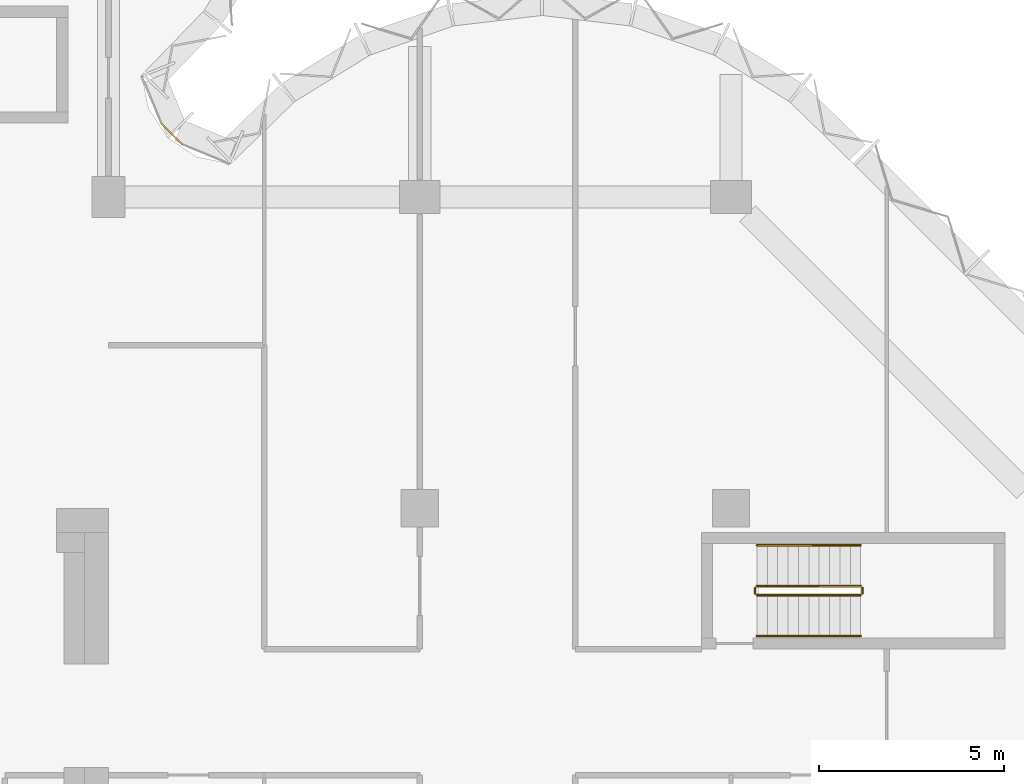
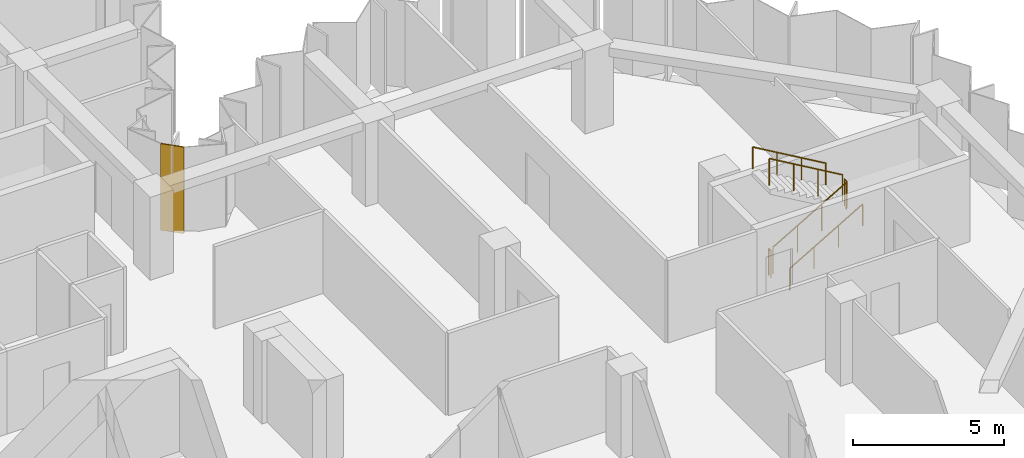
# One storey, part 10 of 10: 6 railings, 1 covering, 1 element without a shape of its own.
"""IFC4 building model written with IfcOpenShell, lengths in metres."""

from ifc_helpers import new_model, si_unit, direction, frame, origin, origin_2d, place, context, subcontext, project, spatial, polyline, circle, outline, extrude, material, layer, layer_set, type_object, element, aggregate, save


model = new_model("IFC4")

# Units and contexts
model_context = context("Model", 3, precision=1e-05, world=origin(), true_north=direction((0.0, 1.0)))
body_context = subcontext(model_context, "Body", "Model", "MODEL_VIEW")
ifc_project = project(units=[si_unit("LENGTHUNIT", "METRE"), si_unit("AREAUNIT", "SQUARE_METRE"), si_unit("VOLUMEUNIT", "CUBIC_METRE"), si_unit("PLANEANGLEUNIT", "RADIAN"), si_unit("MASSUNIT", "GRAM", prefix="KILO")], contexts=[model_context])

# Site, building, storey
site_placement = place(None, origin())
site = spatial("IfcSite", under=ifc_project, at=site_placement, CompositionType="ELEMENT")
building_placement = place(site_placement, origin())
building = spatial("IfcBuilding", under=site, at=building_placement, Name="Brevane Broadcast Tower", CompositionType="ELEMENT")
storey_placement = place(building_placement, frame((0.0, 0.0, 199.199951171875)))
storey = spatial("IfcBuildingStorey", under=building, at=storey_placement, Name="L50", CompositionType="ELEMENT", Elevation=199.199951171875)

# Railings
ifc_material_1 = material(Name="Steel S355", Category="steel")
railing_type_1 = type_object("IfcRailingType", Name="Exit stair guard", PredefinedType="GUARDRAIL", material=ifc_material_1)
railing_1_placement = place(storey_placement, frame((42.699951171875, 14.449951171875, 0.16357421875)))
element("IfcRailing", 1, at=railing_1_placement, inside=storey, type_object=railing_type_1, Name="L50 ST-4 stair guard 1", PredefinedType="GUARDRAIL", context=body_context, shape_type="SweptSolid", body=[
    extrude(circle(Radius=0.02392578125, at=origin_2d()), frame((0.0, 0.0, 1.076171875), z_axis=(0.863360870873, 0.0, 0.504586966384), x_axis=(0.0, 1.0, 0.0)), (0.0, 0.0, 1.0), 3.2431640625),
    extrude(circle(Radius=0.02099609375, at=origin_2d()), origin(), (0.0, 0.0, 1.0), 1.052001953125),
    extrude(circle(Radius=0.02099609375, at=origin_2d()), frame((0.933349609375, 0.0, 0.54541015625)), (0.0, 0.0, 1.0), 1.052001953125),
    extrude(circle(Radius=0.02099609375, at=origin_2d()), frame((1.86669921875, 0.0, 1.091064453125)), (0.0, 0.0, 1.0), 1.052001953125),
    extrude(circle(Radius=0.02099609375, at=origin_2d()), frame((2.800048828125, 0.0, 1.636474609375)), (0.0, 0.0, 1.0), 1.052001953125),
])
railing_2_placement = place(storey_placement, frame((45.550048828125, 14.5, 1.800048828125)))
element("IfcRailing", 2, at=railing_2_placement, inside=storey, type_object=railing_type_1, Name="L50 ST-4 stair guard 2", PredefinedType="GUARDRAIL", context=body_context, shape_type="SweptSolid", body=[
    extrude(circle(Radius=0.02392578125, at=origin_2d()), frame((0.0, 0.0, 1.076171875), z_axis=(0.0, 1.0, 0.0), x_axis=(-1.0, 0.0, 0.0)), (0.0, 0.0, 1.0), 0.14990234375),
    extrude(circle(Radius=0.02099609375, at=origin_2d()), origin(), (0.0, 0.0, 1.0), 1.052001953125),
    extrude(circle(Radius=0.02099609375, at=origin_2d()), frame((0.0, 0.14990234375, 0.0)), (0.0, 0.0, 1.0), 1.052001953125),
])
railing_3_placement = place(storey_placement, frame((45.5, 14.699951171875, 1.963623046875)))
element("IfcRailing", 3, at=railing_3_placement, inside=storey, type_object=railing_type_1, Name="L50 ST-4 stair guard 3", PredefinedType="GUARDRAIL", context=body_context, shape_type="SweptSolid", body=[
    extrude(circle(Radius=0.02392578125, at=origin_2d()), frame((0.0, 0.0, 1.076171875), z_axis=(-0.863360870873, 0.0, 0.504586966384), x_axis=(0.0, -1.0, 0.0)), (0.0, 0.0, 1.0), 3.2431640625),
    extrude(circle(Radius=0.02099609375, at=origin_2d()), origin(), (0.0, 0.0, 1.0), 1.052001953125),
    extrude(circle(Radius=0.02099609375, at=origin_2d()), frame((-0.933349609375, 0.0, 0.54541015625)), (0.0, 0.0, 1.0), 1.052001953125),
    extrude(circle(Radius=0.02099609375, at=origin_2d()), frame((-1.86669921875, 0.0, 1.091064453125)), (0.0, 0.0, 1.0), 1.052001953125),
    extrude(circle(Radius=0.02099609375, at=origin_2d()), frame((-2.800048828125, 0.0, 1.636474609375)), (0.0, 0.0, 1.0), 1.052001953125),
])
railing_4_placement = place(storey_placement, frame((42.64990234375, 14.5, 0.0)))
element("IfcRailing", 4, at=railing_4_placement, inside=storey, type_object=railing_type_1, Name="L50 ST-4 stair guard 4", PredefinedType="GUARDRAIL", context=body_context, shape_type="SweptSolid", body=[
    extrude(circle(Radius=0.02392578125, at=origin_2d()), frame((0.0, 0.0, 1.076171875), z_axis=(0.0, 1.0, 0.0), x_axis=(-1.0, 0.0, 0.0)), (0.0, 0.0, 1.0), 0.14990234375),
    extrude(circle(Radius=0.02099609375, at=origin_2d()), origin(), (0.0, 0.0, 1.0), 1.052001953125),
    extrude(circle(Radius=0.02099609375, at=origin_2d()), frame((0.0, 0.14990234375, 0.0)), (0.0, 0.0, 1.0), 1.052001953125),
])
railing_type_2 = type_object("IfcRailingType", Name="Exit stair handrail", PredefinedType="HANDRAIL", material=ifc_material_1)
railing_5_placement = place(storey_placement, frame((42.699951171875, 13.35009765625, 0.16357421875)))
element("IfcRailing", 5, at=railing_5_placement, inside=storey, type_object=railing_type_2, Name="L50 ST-4 stair handrail 1", PredefinedType="HANDRAIL", context=body_context, shape_type="SweptSolid", body=[
    extrude(circle(Radius=0.02392578125, at=origin_2d()), frame((0.0, 0.0, 0.8759765625), z_axis=(0.863360870873, 0.0, 0.504586966384), x_axis=(0.0, 1.0, 0.0)), (0.0, 0.0, 1.0), 3.2431640625),
    extrude(circle(Radius=0.02099609375, at=origin_2d()), origin(), (0.0, 0.0, 1.0), 0.851806640625),
    extrude(circle(Radius=0.02099609375, at=origin_2d()), frame((0.933349609375, 0.0, 0.54541015625)), (0.0, 0.0, 1.0), 0.851806640625),
    extrude(circle(Radius=0.02099609375, at=origin_2d()), frame((1.86669921875, 0.0, 1.091064453125)), (0.0, 0.0, 1.0), 0.851806640625),
    extrude(circle(Radius=0.02099609375, at=origin_2d()), frame((2.800048828125, 0.0, 1.636474609375)), (0.0, 0.0, 1.0), 0.851806640625),
])
railing_6_placement = place(storey_placement, frame((45.5, 15.800048828125, 1.963623046875)))
element("IfcRailing", 6, at=railing_6_placement, inside=storey, type_object=railing_type_2, Name="L50 ST-4 stair handrail 2", PredefinedType="HANDRAIL", context=body_context, shape_type="SweptSolid", body=[
    extrude(circle(Radius=0.02392578125, at=origin_2d()), frame((0.0, 0.0, 0.8759765625), z_axis=(-0.863360870873, 0.0, 0.504586966384), x_axis=(0.0, -1.0, 0.0)), (0.0, 0.0, 1.0), 3.2431640625),
    extrude(circle(Radius=0.02099609375, at=origin_2d()), origin(), (0.0, 0.0, 1.0), 0.851806640625),
    extrude(circle(Radius=0.02099609375, at=origin_2d()), frame((-0.933349609375, 0.0, 0.54541015625)), (0.0, 0.0, 1.0), 0.851806640625),
    extrude(circle(Radius=0.02099609375, at=origin_2d()), frame((-1.86669921875, 0.0, 1.091064453125)), (0.0, 0.0, 1.0), 0.851806640625),
    extrude(circle(Radius=0.02099609375, at=origin_2d()), frame((-2.800048828125, 0.0, 1.636474609375)), (0.0, 0.0, 1.0), 0.851806640625),
])

# Curtain wall, covering
ifc_material_2 = material(Name="Aluminium 6063-T6 bronze anodised", Category="aluminium")
curtain_wall_type = type_object("IfcCurtainWallType", Name="CW-1 curtain wall", PredefinedType="NOTDEFINED", material=ifc_material_2)
curtain_wall_placement = place(storey_placement, origin())
curtain_wall = element("IfcCurtainWall", 7, at=curtain_wall_placement, inside=storey, type_object=curtain_wall_type, Name="CW-1 typical tilted unit L50 inner corner", PredefinedType="NOTDEFINED")
ifc_material_3 = material(Name="Back-painted bronze glass shadow-box", Category="glass")
ifc_layer = layer(ifc_material_3, 0.0400390625)
ifc_layer_set = layer_set([ifc_layer], Name="Shadow-box panel 40")
covering_type = type_object("IfcCoveringType", Name="Shadow-box panel 40", PredefinedType="CLADDING", material=ifc_layer_set)
covering_placement = place(storey_placement, frame((0.0, 0.0, -0.14990234375)))
covering = element("IfcCovering", 8, at=covering_placement, type_object=covering_type, Name="Closure panel", PredefinedType="CLADDING", context=body_context, shape_type="SweptSolid", body=[
    extrude(outline(polyline([(27.17138671875, 26.60498046875), (27.2021484375, 26.635498046875), (26.635498046875, 27.2021484375), (26.60498046875, 27.17138671875), (27.17138671875, 26.60498046875)])), origin(), (0.0, 0.0, 1.0), 3.5),
])
aggregate(curtain_wall, [covering])

save(model, "model.ifc")
